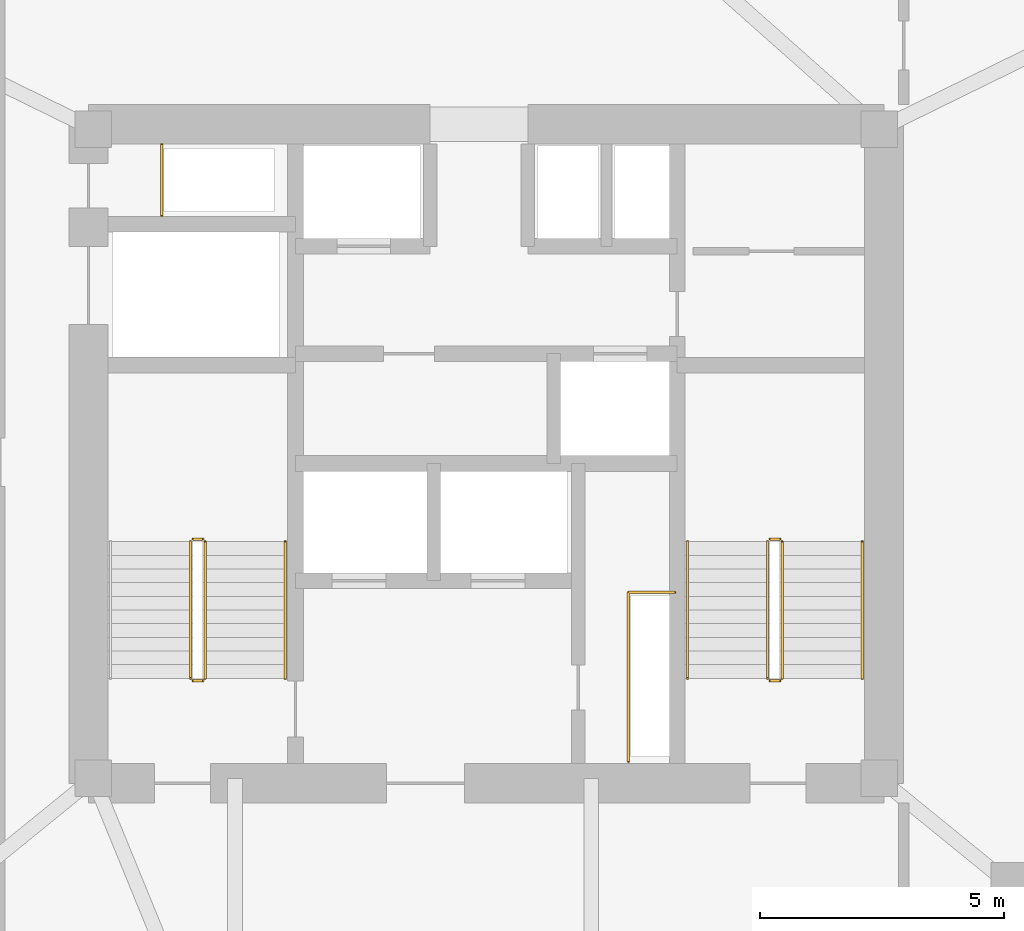
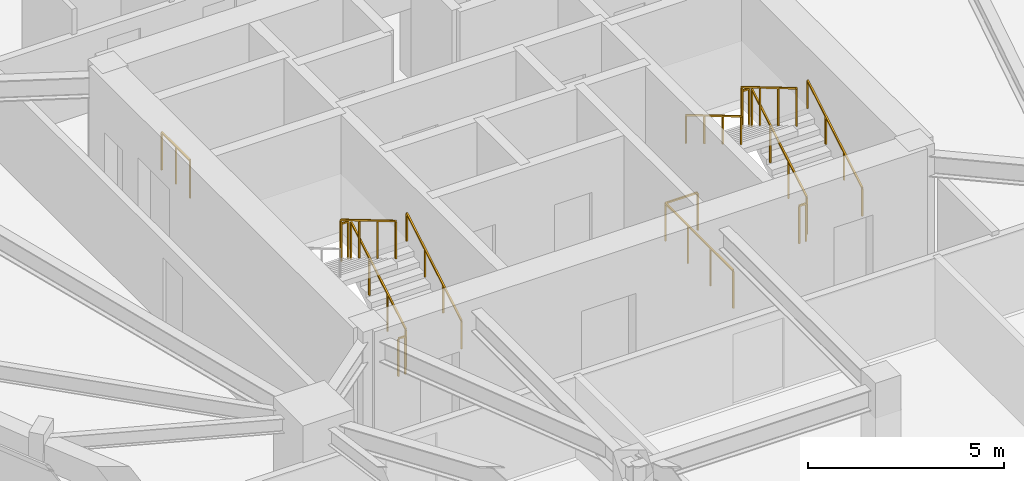
# One storey, part 13 of 13: 13 railings.
"""IFC4 building model written with IfcOpenShell, lengths in metres."""

from ifc_helpers import new_model, si_unit, direction, frame, origin, origin_2d, place, context, subcontext, project, spatial, rectangle, extrude, material, type_object, element, save


model = new_model("IFC4")

# Units and contexts
model_context = context("Model", 3, precision=1e-05, world=origin(), true_north=direction((0.0, 1.0)))
body_context = subcontext(model_context, "Body", "Model", "MODEL_VIEW")
ifc_project = project(units=[si_unit("LENGTHUNIT", "METRE"), si_unit("AREAUNIT", "SQUARE_METRE"), si_unit("VOLUMEUNIT", "CUBIC_METRE"), si_unit("PLANEANGLEUNIT", "RADIAN"), si_unit("MASSUNIT", "GRAM", prefix="KILO")], contexts=[model_context])

# Site, building, storey
site_placement = place(None, origin())
site = spatial("IfcSite", under=ifc_project, at=site_placement, CompositionType="ELEMENT")
building_placement = place(site_placement, origin())
building = spatial("IfcBuilding", under=site, at=building_placement, Name="Talyreon Biosciences Tower", CompositionType="ELEMENT")
storey_placement = place(building_placement, frame((0.0, 0.0, 167.35009765625)))
storey = spatial("IfcBuildingStorey", under=building, at=storey_placement, Name="L44", CompositionType="ELEMENT", Elevation=167.35009765625)

# Railings
ifc_material_1 = material(Name="Brushed stainless-steel tubular handrail", Category="steel")
railing_type_1 = type_object("IfcRailingType", Name="StairWallHandrail_900", PredefinedType="HANDRAIL", material=ifc_material_1)
for number, where, name in (
    (1, (61.8798828125, 63.39990234375, 0.165771484375), "L44 ST-1 stair handrail 1"),
    (2, (73.699951171875, 63.39990234375, 0.165771484375), "L44 ST-2 stair handrail 1"),
):
    element("IfcRailing", number, at=place(storey_placement, frame(where)), inside=storey, type_object=railing_type_1, Name=name, PredefinedType="HANDRAIL", context=body_context, shape_type="SweptSolid", body=[
        extrude(rectangle(XDim=0.048095703125, YDim=0.048095703125, at=origin_2d()), frame((0.0, 0.0, 0.8759765625), z_axis=(0.0, 0.860306154799, 0.50977771628), x_axis=(-1.0, 0.0, 0.0)), (0.0, 0.0, 1.0), 3.254638671875),
        extrude(rectangle(XDim=0.0419921875, YDim=0.0419921875, at=origin_2d()), origin(), (0.0, 0.0, 1.0), 0.851806640625),
        extrude(rectangle(XDim=0.0419921875, YDim=0.0419921875, at=origin_2d()), frame((0.0, 0.933349609375, 0.552978515625)), (0.0, 0.0, 1.0), 0.851806640625),
        extrude(rectangle(XDim=0.0419921875, YDim=0.0419921875, at=origin_2d()), frame((0.0, 1.86669921875, 1.106201171875)), (0.0, 0.0, 1.0), 0.851806640625),
        extrude(rectangle(XDim=0.0419921875, YDim=0.0419921875, at=origin_2d()), frame((0.0, 2.800048828125, 1.6591796875)), (0.0, 0.0, 1.0), 0.851806640625),
    ])
railing_1_placement = place(storey_placement, frame((70.1201171875, 66.199951171875, 1.99072265625)))
element("IfcRailing", 3, at=railing_1_placement, inside=storey, type_object=railing_type_1, Name="L44 ST-2 stair handrail 2", PredefinedType="HANDRAIL", context=body_context, shape_type="SweptSolid", body=[
    extrude(rectangle(XDim=0.048095703125, YDim=0.048095703125, at=origin_2d()), frame((0.0, 0.0, 0.8759765625), z_axis=(0.0, -0.860306154799, 0.50977771628), x_axis=(1.0, 0.0, 0.0)), (0.0, 0.0, 1.0), 3.254638671875),
    extrude(rectangle(XDim=0.0419921875, YDim=0.0419921875, at=origin_2d()), origin(), (0.0, 0.0, 1.0), 0.851806640625),
    extrude(rectangle(XDim=0.0419921875, YDim=0.0419921875, at=origin_2d()), frame((0.0, -0.933349609375, 0.552978515625)), (0.0, 0.0, 1.0), 0.851806640625),
    extrude(rectangle(XDim=0.0419921875, YDim=0.0419921875, at=origin_2d()), frame((0.0, -1.86669921875, 1.106201171875)), (0.0, 0.0, 1.0), 0.851806640625),
    extrude(rectangle(XDim=0.0419921875, YDim=0.0419921875, at=origin_2d()), frame((0.0, -2.800048828125, 1.6591796875)), (0.0, 0.0, 1.0), 0.851806640625),
])
ifc_material_2 = material(Name="Painted galvanised steel post-and-rail balustrade", Category="steel")
railing_type_2 = type_object("IfcRailingType", Name="TerraceStairGuard_1200", PredefinedType="GUARDRAIL", material=ifc_material_2)
railing_2_placement = place(storey_placement, frame((60.239990234375, 63.39990234375, 0.165771484375)))
element("IfcRailing", 4, at=railing_2_placement, inside=storey, type_object=railing_type_2, Name="L44 ST-1 stair guard 1", PredefinedType="GUARDRAIL", context=body_context, shape_type="SweptSolid", body=[
    extrude(rectangle(XDim=0.048095703125, YDim=0.048095703125, at=origin_2d()), frame((0.0, 0.0, 1.17578125), z_axis=(0.0, 0.860306154799, 0.50977771628), x_axis=(-1.0, 0.0, 0.0)), (0.0, 0.0, 1.0), 3.254638671875),
    extrude(rectangle(XDim=0.0419921875, YDim=0.0419921875, at=origin_2d()), origin(), (0.0, 0.0, 1.0), 1.15185546875),
    extrude(rectangle(XDim=0.0419921875, YDim=0.0419921875, at=origin_2d()), frame((0.0, 0.933349609375, 0.552978515625)), (0.0, 0.0, 1.0), 1.15185546875),
    extrude(rectangle(XDim=0.0419921875, YDim=0.0419921875, at=origin_2d()), frame((0.0, 1.86669921875, 1.106201171875)), (0.0, 0.0, 1.0), 1.15185546875),
    extrude(rectangle(XDim=0.0419921875, YDim=0.0419921875, at=origin_2d()), frame((0.0, 2.800048828125, 1.6591796875)), (0.0, 0.0, 1.0), 1.15185546875),
])
railing_3_placement = place(storey_placement, frame((60.18994140625, 66.25, 1.824951171875)))
element("IfcRailing", 5, at=railing_3_placement, inside=storey, type_object=railing_type_2, Name="L44 ST-1 stair guard 2", PredefinedType="GUARDRAIL", context=body_context, shape_type="SweptSolid", body=[
    extrude(rectangle(XDim=0.048095703125, YDim=0.048095703125, at=origin_2d()), frame((0.0, 0.0, 1.17578125), z_axis=(-1.0, 0.0, 0.0), x_axis=(0.0, -1.0, 0.0)), (0.0, 0.0, 1.0), 0.199951171875),
    extrude(rectangle(XDim=0.0419921875, YDim=0.0419921875, at=origin_2d()), origin(), (0.0, 0.0, 1.0), 1.15185546875),
    extrude(rectangle(XDim=0.0419921875, YDim=0.0419921875, at=origin_2d()), frame((-0.199951171875, 0.0, 0.0)), (0.0, 0.0, 1.0), 1.15185546875),
])
railing_4_placement = place(storey_placement, frame((59.93994140625, 66.199951171875, 1.99072265625)))
element("IfcRailing", 6, at=railing_4_placement, inside=storey, type_object=railing_type_2, Name="L44 ST-1 stair guard 3", PredefinedType="GUARDRAIL", context=body_context, shape_type="SweptSolid", body=[
    extrude(rectangle(XDim=0.048095703125, YDim=0.048095703125, at=origin_2d()), frame((0.0, 0.0, 1.17578125), z_axis=(0.0, -0.860306154799, 0.50977771628), x_axis=(1.0, 0.0, 0.0)), (0.0, 0.0, 1.0), 3.254638671875),
    extrude(rectangle(XDim=0.0419921875, YDim=0.0419921875, at=origin_2d()), origin(), (0.0, 0.0, 1.0), 1.15185546875),
    extrude(rectangle(XDim=0.0419921875, YDim=0.0419921875, at=origin_2d()), frame((0.0, -0.933349609375, 0.552978515625)), (0.0, 0.0, 1.0), 1.15185546875),
    extrude(rectangle(XDim=0.0419921875, YDim=0.0419921875, at=origin_2d()), frame((0.0, -1.86669921875, 1.106201171875)), (0.0, 0.0, 1.0), 1.15185546875),
    extrude(rectangle(XDim=0.0419921875, YDim=0.0419921875, at=origin_2d()), frame((0.0, -2.800048828125, 1.6591796875)), (0.0, 0.0, 1.0), 1.15185546875),
])
railing_5_placement = place(storey_placement, frame((60.18994140625, 63.35009765625, 0.0)))
element("IfcRailing", 7, at=railing_5_placement, inside=storey, type_object=railing_type_2, Name="L44 ST-1 stair guard 4", PredefinedType="GUARDRAIL", context=body_context, shape_type="SweptSolid", body=[
    extrude(rectangle(XDim=0.048095703125, YDim=0.048095703125, at=origin_2d()), frame((0.0, 0.0, 1.17578125), z_axis=(-1.0, 0.0, 0.0), x_axis=(0.0, -1.0, 0.0)), (0.0, 0.0, 1.0), 0.199951171875),
    extrude(rectangle(XDim=0.0419921875, YDim=0.0419921875, at=origin_2d()), origin(), (0.0, 0.0, 1.0), 1.15185546875),
    extrude(rectangle(XDim=0.0419921875, YDim=0.0419921875, at=origin_2d()), frame((-0.199951171875, 0.0, 0.0)), (0.0, 0.0, 1.0), 1.15185546875),
])
railing_6_placement = place(storey_placement, frame((72.06005859375, 63.39990234375, 0.165771484375)))
element("IfcRailing", 8, at=railing_6_placement, inside=storey, type_object=railing_type_2, Name="L44 ST-2 stair guard 1", PredefinedType="GUARDRAIL", context=body_context, shape_type="SweptSolid", body=[
    extrude(rectangle(XDim=0.048095703125, YDim=0.048095703125, at=origin_2d()), frame((0.0, 0.0, 1.17578125), z_axis=(0.0, 0.860306154799, 0.50977771628), x_axis=(-1.0, 0.0, 0.0)), (0.0, 0.0, 1.0), 3.254638671875),
    extrude(rectangle(XDim=0.0419921875, YDim=0.0419921875, at=origin_2d()), origin(), (0.0, 0.0, 1.0), 1.15185546875),
    extrude(rectangle(XDim=0.0419921875, YDim=0.0419921875, at=origin_2d()), frame((0.0, 0.933349609375, 0.552978515625)), (0.0, 0.0, 1.0), 1.15185546875),
    extrude(rectangle(XDim=0.0419921875, YDim=0.0419921875, at=origin_2d()), frame((0.0, 1.86669921875, 1.106201171875)), (0.0, 0.0, 1.0), 1.15185546875),
    extrude(rectangle(XDim=0.0419921875, YDim=0.0419921875, at=origin_2d()), frame((0.0, 2.800048828125, 1.6591796875)), (0.0, 0.0, 1.0), 1.15185546875),
])
railing_7_placement = place(storey_placement, frame((72.010009765625, 66.25, 1.824951171875)))
element("IfcRailing", 9, at=railing_7_placement, inside=storey, type_object=railing_type_2, Name="L44 ST-2 stair guard 2", PredefinedType="GUARDRAIL", context=body_context, shape_type="SweptSolid", body=[
    extrude(rectangle(XDim=0.048095703125, YDim=0.048095703125, at=origin_2d()), frame((0.0, 0.0, 1.17578125), z_axis=(-1.0, 0.0, 0.0), x_axis=(0.0, -1.0, 0.0)), (0.0, 0.0, 1.0), 0.199951171875),
    extrude(rectangle(XDim=0.0419921875, YDim=0.0419921875, at=origin_2d()), origin(), (0.0, 0.0, 1.0), 1.15185546875),
    extrude(rectangle(XDim=0.0419921875, YDim=0.0419921875, at=origin_2d()), frame((-0.199951171875, 0.0, 0.0)), (0.0, 0.0, 1.0), 1.15185546875),
])
railing_8_placement = place(storey_placement, frame((71.760009765625, 66.199951171875, 1.99072265625)))
element("IfcRailing", 10, at=railing_8_placement, inside=storey, type_object=railing_type_2, Name="L44 ST-2 stair guard 3", PredefinedType="GUARDRAIL", context=body_context, shape_type="SweptSolid", body=[
    extrude(rectangle(XDim=0.048095703125, YDim=0.048095703125, at=origin_2d()), frame((0.0, 0.0, 1.17578125), z_axis=(0.0, -0.860306154799, 0.50977771628), x_axis=(1.0, 0.0, 0.0)), (0.0, 0.0, 1.0), 3.254638671875),
    extrude(rectangle(XDim=0.0419921875, YDim=0.0419921875, at=origin_2d()), origin(), (0.0, 0.0, 1.0), 1.15185546875),
    extrude(rectangle(XDim=0.0419921875, YDim=0.0419921875, at=origin_2d()), frame((0.0, -0.933349609375, 0.552978515625)), (0.0, 0.0, 1.0), 1.15185546875),
    extrude(rectangle(XDim=0.0419921875, YDim=0.0419921875, at=origin_2d()), frame((0.0, -1.86669921875, 1.106201171875)), (0.0, 0.0, 1.0), 1.15185546875),
    extrude(rectangle(XDim=0.0419921875, YDim=0.0419921875, at=origin_2d()), frame((0.0, -2.800048828125, 1.6591796875)), (0.0, 0.0, 1.0), 1.15185546875),
])
railing_9_placement = place(storey_placement, frame((72.010009765625, 63.35009765625, 0.0)))
element("IfcRailing", 11, at=railing_9_placement, inside=storey, type_object=railing_type_2, Name="L44 ST-2 stair guard 4", PredefinedType="GUARDRAIL", context=body_context, shape_type="SweptSolid", body=[
    extrude(rectangle(XDim=0.048095703125, YDim=0.048095703125, at=origin_2d()), frame((0.0, 0.0, 1.17578125), z_axis=(-1.0, 0.0, 0.0), x_axis=(0.0, -1.0, 0.0)), (0.0, 0.0, 1.0), 0.199951171875),
    extrude(rectangle(XDim=0.0419921875, YDim=0.0419921875, at=origin_2d()), origin(), (0.0, 0.0, 1.0), 1.15185546875),
    extrude(rectangle(XDim=0.0419921875, YDim=0.0419921875, at=origin_2d()), frame((-0.199951171875, 0.0, 0.0)), (0.0, 0.0, 1.0), 1.15185546875),
])
railing_10_placement = place(storey_placement, frame((59.35009765625, 72.8798828125, 0.0)))
element("IfcRailing", 12, at=railing_10_placement, inside=storey, type_object=railing_type_2, Name="L44 Exhaust Riser Maintenance Guardrail", PredefinedType="GUARDRAIL", context=body_context, shape_type="SweptSolid", body=[
    extrude(rectangle(XDim=0.048095703125, YDim=0.048095703125, at=origin_2d()), frame((0.0, 0.0, 1.17578125), z_axis=(0.0, 1.0, 0.0), x_axis=(-1.0, 0.0, 0.0)), (0.0, 0.0, 1.0), 1.4501953125),
    extrude(rectangle(XDim=0.0419921875, YDim=0.0419921875, at=origin_2d()), origin(), (0.0, 0.0, 1.0), 1.15185546875),
    extrude(rectangle(XDim=0.0419921875, YDim=0.0419921875, at=origin_2d()), frame((0.0, 0.72509765625, 0.0)), (0.0, 0.0, 1.0), 1.15185546875),
    extrude(rectangle(XDim=0.0419921875, YDim=0.0419921875, at=origin_2d()), frame((0.0, 1.4501953125, 0.0)), (0.0, 0.0, 1.0), 1.15185546875),
])
railing_11_placement = place(storey_placement, frame((68.909912109375, 61.699951171875, 0.0)))
element("IfcRailing", 13, at=railing_11_placement, inside=storey, type_object=railing_type_2, Name="L44 Electrical Riser Maintenance Guardrail", PredefinedType="GUARDRAIL", context=body_context, shape_type="SweptSolid", body=[
    extrude(rectangle(XDim=0.048095703125, YDim=0.048095703125, at=origin_2d()), frame((0.0, 0.0, 1.17578125), z_axis=(0.0, 1.0, 0.0), x_axis=(-1.0, 0.0, 0.0)), (0.0, 0.0, 1.0), 3.4599609375),
    extrude(rectangle(XDim=0.048095703125, YDim=0.048095703125, at=origin_2d()), frame((0.0, 3.4599609375, 1.17578125), z_axis=(1.0, 0.0, 0.0), x_axis=(0.0, 1.0, 0.0)), (0.0, 0.0, 1.0), 0.9501953125),
    extrude(rectangle(XDim=0.0419921875, YDim=0.0419921875, at=origin_2d()), origin(), (0.0, 0.0, 1.0), 1.15185546875),
    extrude(rectangle(XDim=0.0419921875, YDim=0.0419921875, at=origin_2d()), frame((0.0, 1.1533203125, 0.0)), (0.0, 0.0, 1.0), 1.15185546875),
    extrude(rectangle(XDim=0.0419921875, YDim=0.0419921875, at=origin_2d()), frame((0.0, 2.306640625, 0.0)), (0.0, 0.0, 1.0), 1.15185546875),
    extrude(rectangle(XDim=0.0419921875, YDim=0.0419921875, at=origin_2d()), frame((0.0, 3.4599609375, 0.0)), (0.0, 0.0, 1.0), 1.15185546875),
    extrude(rectangle(XDim=0.0419921875, YDim=0.0419921875, at=origin_2d()), frame((0.9501953125, 3.4599609375, 0.0)), (0.0, 0.0, 1.0), 1.15185546875),
])

save(model, "model.ifc")
